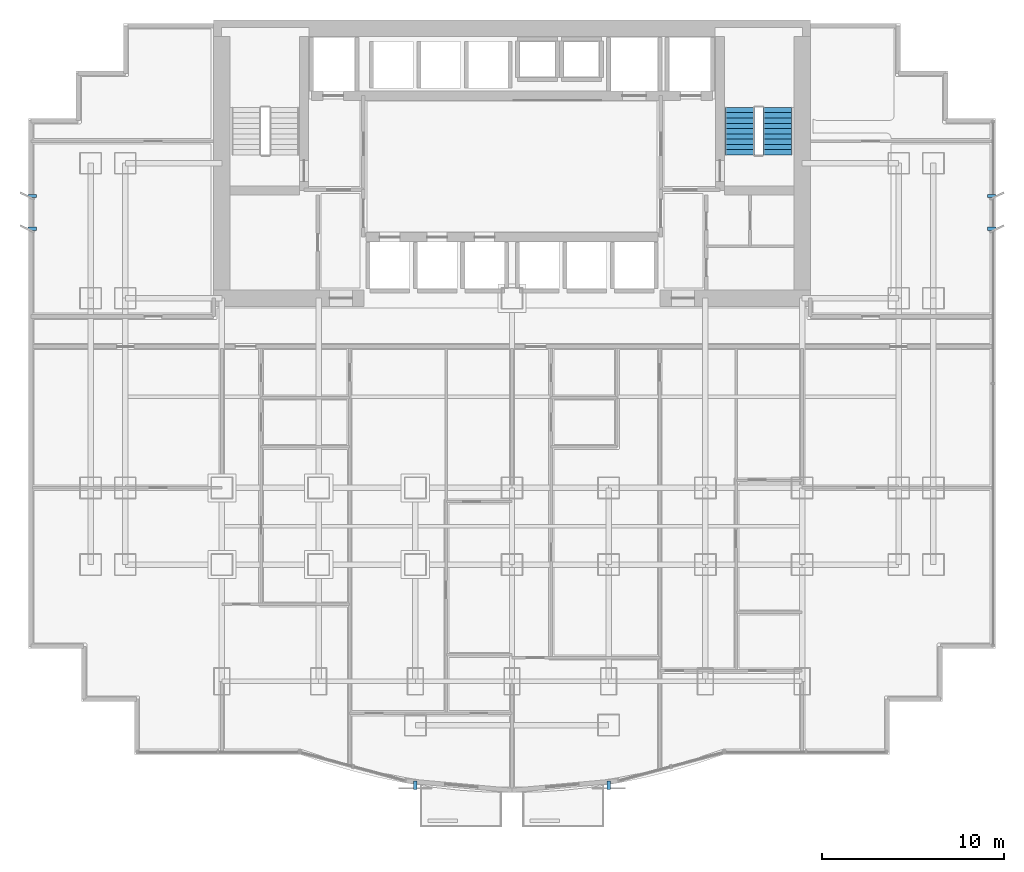
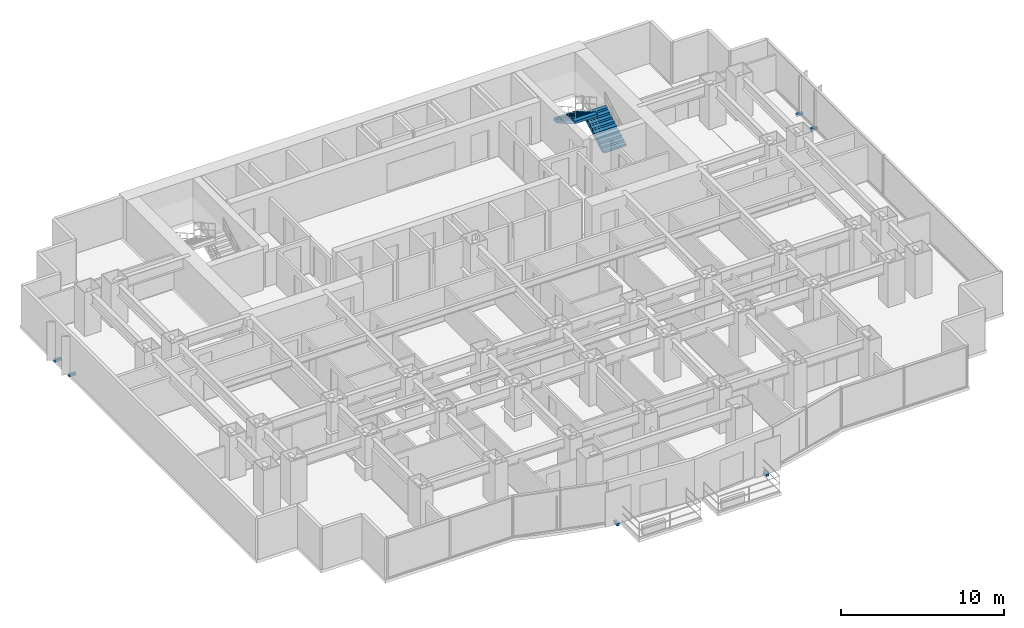
# One storey, part 10 of 12: 6 discrete accessories, 2 stair flights, 1 element without a shape of its own.
"""IFC4 building model written with IfcOpenShell, lengths in metres."""

from ifc_helpers import new_model, si_unit, direction, frame, origin, origin_2d, place, context, subcontext, project, spatial, polyline, rectangle, outline, extrude, source, transform, mapped, material, type_object, element, aggregate, save


model = new_model("IFC4")

# Units and contexts
model_context = context("Model", 3, precision=1e-05, world=origin(), true_north=direction((0.0, 1.0)))
body_context = subcontext(model_context, "Body", "Model", "MODEL_VIEW")
ifc_project = project(units=[si_unit("LENGTHUNIT", "METRE"), si_unit("AREAUNIT", "SQUARE_METRE"), si_unit("VOLUMEUNIT", "CUBIC_METRE"), si_unit("PLANEANGLEUNIT", "RADIAN"), si_unit("MASSUNIT", "GRAM", prefix="KILO")], contexts=[model_context])

# Site, building, storey
site_placement = place(None, origin())
site = spatial("IfcSite", under=ifc_project, at=site_placement, CompositionType="ELEMENT")
building_placement = place(site_placement, origin())
building = spatial("IfcBuilding", under=site, at=building_placement, Name="Qianlan Lanfeng Residences", CompositionType="ELEMENT")
storey_placement = place(building_placement, frame((0.0, 0.0, 47.300048828125)))
storey = spatial("IfcBuildingStorey", under=building, at=storey_placement, Name="L12", CompositionType="ELEMENT", Elevation=47.300048828125)

# Stair, stair flights
ifc_material_1 = material(Name="Concrete C42", Category="concrete")
stair_type = type_object("IfcStairType", Name="STR-MAIN", PredefinedType="HALF_TURN_STAIR", material=ifc_material_1)
stair_placement = place(storey_placement, origin())
stair = element("IfcStair", 1, at=stair_placement, inside=storey, type_object=stair_type, Name="L12 Exit Stair ST-2", PredefinedType="HALF_TURN_STAIR")
stair_flight_type = type_object("IfcStairFlightType", Name="FLT-1720", PredefinedType="STRAIGHT", material=ifc_material_1)
stair_flight_1_placement = place(storey_placement, frame((41.06005859375, 33.050048828125, 0.0), z_axis=(0.0, 0.0, 1.0), x_axis=(0.0, 1.0, 0.0)))
stair_flight_1 = element("IfcStairFlight", 2, at=stair_flight_1_placement, type_object=stair_flight_type, Name="ST-2 flight 1", NumberOfRisers=10, NumberOfTreads=9, PredefinedType="STRAIGHT", RiserHeight=0.165, TreadLength=0.29, context=body_context, shape_type="SweptSolid", body=[
    extrude(outline(polyline([(0.0, 0.0), (0.0, 0.1650390625), (0.2900390625, 0.1650390625), (0.2900390625, 0.330078125), (0.580078125, 0.330078125), (0.580078125, 0.4951171875), (0.8701171875, 0.4951171875), (0.8701171875, 0.659912109375), (1.159912109375, 0.659912109375), (1.159912109375, 0.824951171875), (1.449951171875, 0.824951171875), (1.449951171875, 0.989990234375), (1.739990234375, 0.989990234375), (1.739990234375, 1.155029296875), (2.030029296875, 1.155029296875), (2.030029296875, 1.320068359375), (2.320068359375, 1.320068359375), (2.320068359375, 1.485107421875), (2.610107421875, 1.485107421875), (2.610107421875, 1.64990234375), (2.610107421875, 1.278076171875), (0.36376953125, 0.0), (0.0, 0.0)])), frame((0.0, 0.800048828125, 0.0), z_axis=(0.0, -1.0, 0.0), x_axis=(1.0, 0.0, 0.0)), (0.0, 0.0, 1.0), 1.60009765625),
])
stair_flight_2_placement = place(storey_placement, frame((38.97998046875, 35.659912109375, 1.64990234375), z_axis=(0.0, 0.0, 1.0), x_axis=(0.0, -1.0, 0.0)))
stair_flight_2 = element("IfcStairFlight", 3, at=stair_flight_2_placement, type_object=stair_flight_type, Name="ST-2 flight 2", NumberOfRisers=10, NumberOfTreads=9, PredefinedType="STRAIGHT", RiserHeight=0.165, TreadLength=0.29, context=body_context, shape_type="SweptSolid", body=[
    extrude(outline(polyline([(0.0, 0.0), (0.0, 0.1650390625), (0.2900390625, 0.1650390625), (0.2900390625, 0.330078125), (0.580078125, 0.330078125), (0.580078125, 0.4951171875), (0.8701171875, 0.4951171875), (0.8701171875, 0.659912109375), (1.159912109375, 0.659912109375), (1.159912109375, 0.824951171875), (1.449951171875, 0.824951171875), (1.449951171875, 0.989990234375), (1.739990234375, 0.989990234375), (1.739990234375, 1.155029296875), (2.030029296875, 1.155029296875), (2.030029296875, 1.320068359375), (2.320068359375, 1.320068359375), (2.320068359375, 1.485107421875), (2.610107421875, 1.485107421875), (2.610107421875, 1.64990234375), (2.610107421875, 1.278076171875), (0.36376953125, 0.0), (0.0, 0.0)])), frame((0.0, 0.800048828125, 0.0), z_axis=(0.0, -1.0, 0.0), x_axis=(1.0, 0.0, 0.0)), (0.0, 0.0, 1.0), 1.60009765625),
])
aggregate(stair, [stair_flight_1, stair_flight_2])

# Discrete accessories
ifc_material_2 = material(Name="Stainless Steel Facade Bracket", Category="steel")
discrete_accessory_type = type_object("IfcDiscreteAccessoryType", Name="BRK-SS-350", PredefinedType="BRACKET", material=ifc_material_2)
shared_shape_1 = source(origin(), body_context, "Body", "SweptSolid", [
    extrude(rectangle(XDim=0.179931640625, YDim=0.449951171875, at=origin_2d()), origin(), (0.0, 0.0, 1.0), 0.179931640625),
])
for number, where, z_axis, x_axis, name in (
    (4, (21.199951171875, -1.5, -0.14990234375), (0.0, 0.0, 1.0), (1.0, 0.0, 0.0), "L12 Solar Screen Support Bracket 1"),
    (5, (31.800048828125, -1.5, -0.14990234375), (0.0, 0.0, 1.0), (1.0, 0.0, 0.0), "L12 Solar Screen Support Bracket 2"),
):
    element("IfcDiscreteAccessory", number, at=place(storey_placement, frame(where, z_axis=z_axis, x_axis=x_axis)), inside=storey, type_object=discrete_accessory_type, Name=name, PredefinedType="BRACKET", context=body_context, shape_type="MappedRepresentation", body=[
        mapped(shared_shape_1, transform((0.0, 0.0, 0.0), scale=1.0)),
    ])
shared_shape_2 = source(origin(), body_context, "Body", "SweptSolid", [
    extrude(rectangle(XDim=0.449951171875, YDim=0.179931640625, at=origin_2d()), origin(), (0.0, 0.0, 1.0), 0.179931640625),
])
for number, where, z_axis, x_axis, name in (
    (6, (0.199951171875, 29.0, -0.14990234375), (0.0, 0.0, 1.0), (1.0, 0.0, 0.0), "L12 Raked Solar Fin Support Bracket W1"),
    (7, (0.199951171875, 30.800048828125, -0.14990234375), (0.0, 0.0, 1.0), (1.0, 0.0, 0.0), "L12 Raked Solar Fin Support Bracket W2"),
    (8, (52.800048828125, 29.0, -0.14990234375), (0.0, 0.0, 1.0), (1.0, 0.0, 0.0), "L12 Raked Solar Fin Support Bracket E1"),
    (9, (52.800048828125, 30.800048828125, -0.14990234375), (0.0, 0.0, 1.0), (1.0, 0.0, 0.0), "L12 Raked Solar Fin Support Bracket E2"),
):
    element("IfcDiscreteAccessory", number, at=place(storey_placement, frame(where, z_axis=z_axis, x_axis=x_axis)), inside=storey, type_object=discrete_accessory_type, Name=name, PredefinedType="BRACKET", context=body_context, shape_type="MappedRepresentation", body=[
        mapped(shared_shape_2, transform((0.0, 0.0, 0.0), scale=1.0)),
    ])

save(model, "model.ifc")
